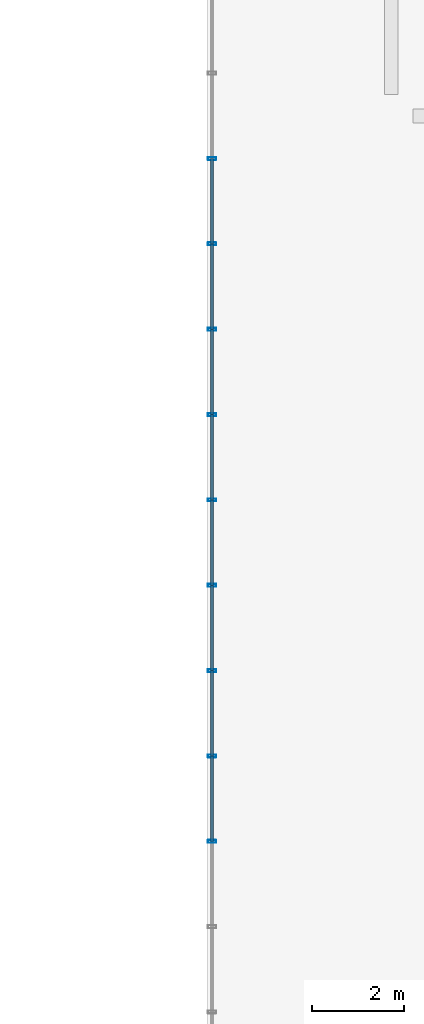
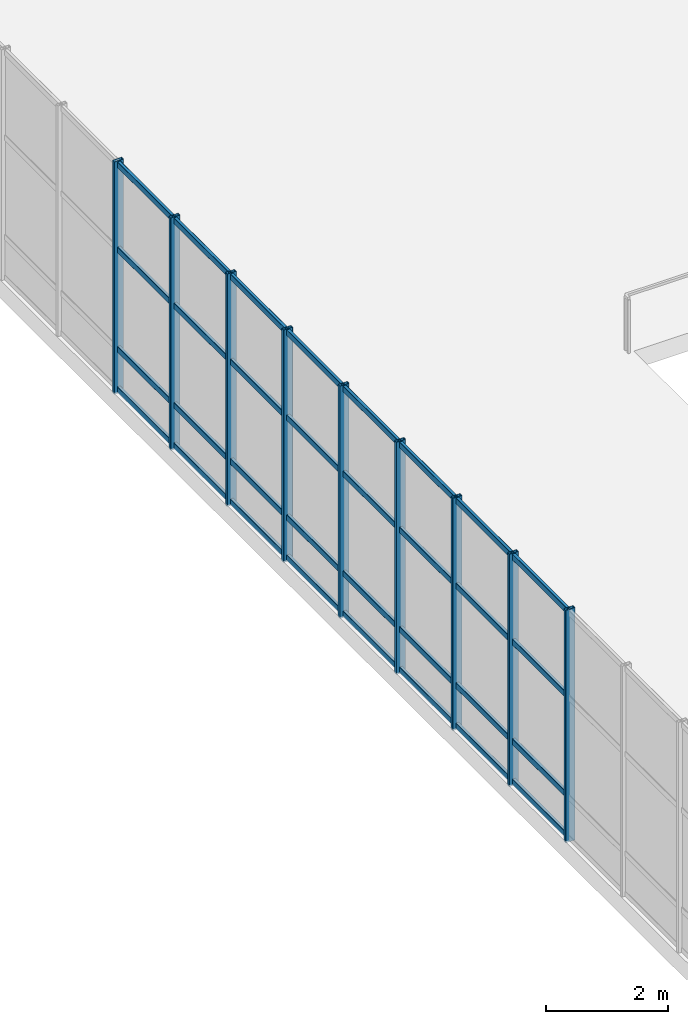
# One storey, part 101 of 176: 41 members, 2 elements without a shape of their own.
"""IFC4 building model written with IfcOpenShell, lengths in metres."""

import ifcopenshell
import ifcopenshell.guid

model = None  # the IFC model being written
_history = None  # IfcOwnerHistory: only IFC2X3 demands one
_inside = {}  # id of a spatial element -> (the spatial element, [elements in it])
_under = {}  # id of a project, library or spatial element -> (it, [spatial elements below it])
_declared = {}  # id of a project -> (the project, [libraries it declares])
_typed = {}  # id of a type object -> (the type object, [elements of that type])
_made_of = {}  # id of a material, layer set ... -> (it, [elements and type objects made of it])


def new_model(schema):
    """Start an empty IFC model of exactly this schema.

    Asked for "IFC4X3", IfcOpenShell would pick the latest addendum, in which some entities
    have other attributes; the version numbers below select the first issue.
    IFC2X3 requires an IfcOwnerHistory on every rooted entity: one is made here for all.
    """
    global model, _history
    if schema == "IFC4X3":
        model = ifcopenshell.file(schema_version=(4, 3, 0, 0))
    else:
        model = ifcopenshell.file(schema=schema)
    _inside.clear()
    _under.clear()
    _declared.clear()
    _typed.clear()
    _made_of.clear()
    _history = None
    if model.schema == "IFC2X3":
        org = make("IfcOrganization", Name="unknown")
        user = make(
            "IfcPersonAndOrganization",
            ThePerson=make("IfcPerson", FamilyName="unknown"),
            TheOrganization=org,
        )
        app = make(
            "IfcApplication",
            ApplicationDeveloper=org,
            Version="unknown",
            ApplicationFullName="unknown",
            ApplicationIdentifier="unknown",
        )
        _history = make(
            "IfcOwnerHistory",
            OwningUser=user,
            OwningApplication=app,
            ChangeAction="ADDED",
            CreationDate=0,
        )
    return model


def make(cls, **values):
    """One entity of the class cls with the attributes given. An attribute that is None is left unset."""
    return model.create_entity(
        cls, **{name: value for name, value in values.items() if value is not None}
    )


def rooted(cls, **values):
    """An entity with a GlobalId (a new one), such as an element, a storey or a relation."""
    return make(cls, GlobalId=ifcopenshell.guid.new(), OwnerHistory=_history, **values)


def si_unit(unit_type, name, prefix=None):
    """IfcSIUnit, for example si_unit("LENGTHUNIT", "METRE", prefix="MILLI")."""
    return make("IfcSIUnit", UnitType=unit_type, Prefix=prefix, Name=name)


def assignment(units):
    """IfcUnitAssignment: the units of a project."""
    return None if units is None else make("IfcUnitAssignment", Units=units)


def point(xyz):
    """IfcCartesianPoint."""
    return None if xyz is None else make("IfcCartesianPoint", Coordinates=xyz)


def direction(xyz):
    """IfcDirection."""
    return None if xyz is None else make("IfcDirection", DirectionRatios=xyz)


def frame(location, z_axis=None, x_axis=None):
    """IfcAxis2Placement3D, a coordinate frame: its origin and axes. An axis left out is left unset."""
    return make(
        "IfcAxis2Placement3D",
        Location=point(location),
        Axis=direction(z_axis),
        RefDirection=direction(x_axis),
    )


def frame_2d(location, x_axis=None):
    """IfcAxis2Placement2D, a coordinate frame in the plane: its origin and x axis."""
    return make(
        "IfcAxis2Placement2D", Location=point(location), RefDirection=direction(x_axis)
    )


def origin():
    """The frame at (0, 0, 0) with its axes left unset."""
    return frame((0.0, 0.0, 0.0))


def origin_2d():
    """The frame at (0, 0) in the plane with its x axis left unset."""
    return frame_2d((0.0, 0.0))


def place(relative_to, where):
    """IfcLocalPlacement: puts the frame where relative to a parent placement (None: the world)."""
    return make(
        "IfcLocalPlacement", PlacementRelTo=relative_to, RelativePlacement=where
    )


def context(
    kind, dimensions, precision=None, world=None, true_north=None, identifier=None
):
    """IfcGeometricRepresentationContext, for example the 3D "Model" context."""
    return make(
        "IfcGeometricRepresentationContext",
        ContextIdentifier=identifier,
        ContextType=kind,
        CoordinateSpaceDimension=dimensions,
        Precision=precision,
        WorldCoordinateSystem=world,
        TrueNorth=true_north,
    )


def subcontext(parent, identifier, kind, view, scale=None):
    """IfcGeometricRepresentationSubContext, for example "Body" below "Model"."""
    return make(
        "IfcGeometricRepresentationSubContext",
        ContextIdentifier=identifier,
        ContextType=kind,
        ParentContext=parent,
        TargetScale=scale,
        TargetView=view,
    )


def project(units=None, contexts=None):
    """IfcProject with its units and contexts."""
    return rooted(
        "IfcProject",
        Name="project",
        RepresentationContexts=contexts,
        UnitsInContext=assignment(units),
    )


def spatial(cls, under=None, at=None, **own):
    """A site, building, storey or space (cls), placed at a placement, below another one or the project."""
    s = rooted(cls, ObjectPlacement=at, **own)
    if under is not None:
        _under.setdefault(under.id(), (under, []))[1].append(s)
    return s


def profile(cls, at=None, kind="AREA", **sizes):
    """A parametric profile (cls). Its sizes go by their IFC names, for example OverallWidth=200.0."""
    return make(cls, ProfileType=kind, Position=at, **sizes)


def hollow_rectangle(**sizes):
    """IfcRectangleHollowProfileDef."""
    return profile("IfcRectangleHollowProfileDef", **sizes)


def extrude(swept, where, along, depth):
    """IfcExtrudedAreaSolid: the profile swept, set in the frame where, extruded along a direction by depth."""
    return make(
        "IfcExtrudedAreaSolid",
        SweptArea=swept,
        Position=where,
        ExtrudedDirection=direction(along),
        Depth=depth,
    )


def shape(context_of_items, identifier, shape_type, items):
    """IfcShapeRepresentation: the items that make up one representation, for example the "Body"."""
    return make(
        "IfcShapeRepresentation",
        ContextOfItems=context_of_items,
        RepresentationIdentifier=identifier,
        RepresentationType=shape_type,
        Items=items,
    )


def material(Name=None, Category=None):
    """IfcMaterial."""
    return make("IfcMaterial", Name=Name, Category=Category)


def layer(
    of_material, thickness, ventilated=None, Name=None, Category=None, Priority=None
):
    """IfcMaterialLayer: one layer of a wall or slab, of a material (None: an air gap)."""
    return make(
        "IfcMaterialLayer",
        Material=of_material,
        LayerThickness=thickness,
        IsVentilated=ventilated,
        Name=Name,
        Category=Category,
        Priority=Priority,
    )


def layer_set(layers, Name=None):
    """IfcMaterialLayerSet."""
    return make("IfcMaterialLayerSet", MaterialLayers=layers, LayerSetName=Name)


def material_profile(
    of_material, cross_section, Name=None, Category=None, Priority=None
):
    """IfcMaterialProfile: a cross section and its material."""
    return make(
        "IfcMaterialProfile",
        Name=Name,
        Material=of_material,
        Profile=cross_section,
        Priority=Priority,
        Category=Category,
    )


def profile_set(profiles, Name=None, composite=None):
    """IfcMaterialProfileSet."""
    return make(
        "IfcMaterialProfileSet",
        Name=Name,
        MaterialProfiles=profiles,
        CompositeProfile=composite,
    )


def made_of(thing, what):
    """Note that an element or type object is made of a material, layer set ...; save() writes the relation."""
    if what is not None:
        _made_of.setdefault(what.id(), (what, []))[1].append(thing)
    return thing


def type_object(cls, material=None, **own):
    """A type object (cls), such as IfcWallType, which elements share."""
    return made_of(rooted(cls, **own), material)


def element(
    cls,
    number,
    at=None,
    inside=None,
    cuts=None,
    type_object=None,
    material=None,
    context=None,
    identifier="Body",
    shape_type=None,
    held_by="IfcProductDefinitionShape",
    body=None,
    shapes=None,
    **own,
):
    """One element of the class cls, such as IfcWall. Its Tag is "e" and its number.

    at: its placement. inside: the storey or other place that contains it. cuts: it is an
    opening in that element (IfcRelVoidsElement). A single representation is given by context,
    identifier, shape_type and body (its items); several are given by shapes. held_by: the class
    of the entity that holds the representations. save() writes the other relations.
    """
    e = rooted(cls, Tag="e%d" % number, ObjectPlacement=at, **own)
    if body is not None:
        shapes = [shape(context, identifier, shape_type, body)]
    if shapes is not None:
        e.Representation = make(held_by, Representations=shapes)
    if inside is not None:
        _inside.setdefault(inside.id(), (inside, []))[1].append(e)
    if cuts is not None:
        rooted(
            "IfcRelVoidsElement", RelatingBuildingElement=cuts, RelatedOpeningElement=e
        )
    if type_object is not None:
        _typed.setdefault(type_object.id(), (type_object, []))[1].append(e)
    return made_of(e, material)


def aggregate(whole, parts):
    """IfcRelAggregates: a whole, such as a stair, and the parts it consists of."""
    return rooted("IfcRelAggregates", RelatingObject=whole, RelatedObjects=parts)


def save(model, path):
    """Write the relations noted so far, then the file.

    IfcRelAggregates (storeys below a building ...), IfcRelContainedInSpatialStructure (elements
    in a storey), IfcRelDefinesByType, IfcRelAssociatesMaterial and IfcRelDeclares: one each for
    every whole, place, type object, material and project.
    """
    for whole, parts in _under.values():
        aggregate(whole, parts)
    for where, things in _inside.values():
        rooted(
            "IfcRelContainedInSpatialStructure",
            RelatedElements=things,
            RelatingStructure=where,
        )
    for kind, things in _typed.values():
        rooted("IfcRelDefinesByType", RelatedObjects=things, RelatingType=kind)
    for what, things in _made_of.values():
        rooted("IfcRelAssociatesMaterial", RelatedObjects=things, RelatingMaterial=what)
    for by, libraries in _declared.values():
        rooted("IfcRelDeclares", RelatingContext=by, RelatedDefinitions=libraries)
    model.write(path)


model = new_model("IFC4")

# Units and contexts
model_context = context("Model", 3, precision=1e-05, world=origin(), true_north=direction((0.0, 1.0)))
body_context = subcontext(model_context, "Body", "Model", "MODEL_VIEW")
ifc_project = project(units=[si_unit("LENGTHUNIT", "METRE"), si_unit("AREAUNIT", "SQUARE_METRE"), si_unit("VOLUMEUNIT", "CUBIC_METRE"), si_unit("PLANEANGLEUNIT", "RADIAN"), si_unit("MASSUNIT", "GRAM", prefix="KILO")], contexts=[model_context])

# Site, building, storey
site_placement = place(None, origin())
site = spatial("IfcSite", under=ifc_project, at=site_placement, CompositionType="ELEMENT")
building_placement = place(site_placement, origin())
building = spatial("IfcBuilding", under=site, at=building_placement, Name="Khorjan Park Terminus", CompositionType="ELEMENT")
storey_placement = place(building_placement, frame((0.0, 0.0, 6.0)))
storey = spatial("IfcBuildingStorey", under=building, at=storey_placement, Name="L01", CompositionType="ELEMENT", Elevation=6.0)

# Curtain wall, members
ifc_material = material(Name="Anodized Bronze Aluminium", Category="aluminium")
ifc_layer = layer(ifc_material, 0.22)
ifc_layer_set = layer_set([ifc_layer], Name="Anodized Bronze Aluminium")
curtain_wall_type = type_object("IfcCurtainWallType", Name="CW-BRG-D", PredefinedType="NOTDEFINED", material=ifc_layer_set)
curtain_wall_1_placement = place(storey_placement, origin())
curtain_wall_1 = element("IfcCurtainWall", 1, at=curtain_wall_1_placement, inside=storey, type_object=curtain_wall_type, Name="Unitized curtain wall CW-D (CW-BRW-W-2)", PredefinedType="NOTDEFINED")
ifc_material_profile_1 = material_profile(ifc_material, hollow_rectangle(XDim=0.065, YDim=0.18, WallThickness=0.004, InnerFilletRadius=0.004, OuterFilletRadius=0.008, at=origin_2d()), Name="ALM 65x180x4")
ifc_profile_set_1 = profile_set([ifc_material_profile_1], Name="Anodized Bronze Aluminium")
member_type_1 = type_object("IfcMemberType", Name="ML-ALM-180", PredefinedType="MULLION", material=ifc_profile_set_1)
member_1_placement = place(storey_placement, frame((52.1, 128.0, -0.035), z_axis=(0.0, 0.0, 1.0), x_axis=(0.0, -1.0, 0.0)))
member_1 = element("IfcMember", 2, at=member_1_placement, type_object=member_type_1, Name="Curtain-wall mullion ML-18 (CW-BRW-W-2-0)", PredefinedType="MULLION", context=body_context, shape_type="SweptSolid", body=[
    extrude(hollow_rectangle(XDim=0.065, YDim=0.18, WallThickness=0.004, InnerFilletRadius=0.004, OuterFilletRadius=0.008, at=origin_2d()), origin(), (0.0, 0.0, 1.0), 4.67),
])
member_2_placement = place(storey_placement, frame((52.1, 126.1429, -0.035), z_axis=(0.0, 0.0, 1.0), x_axis=(0.0, -1.0, 0.0)))
member_2 = element("IfcMember", 3, at=member_2_placement, type_object=member_type_1, Name="Curtain-wall mullion ML-18 (CW-BRW-W-2-1)", PredefinedType="MULLION", context=body_context, shape_type="SweptSolid", body=[
    extrude(hollow_rectangle(XDim=0.065, YDim=0.18, WallThickness=0.004, InnerFilletRadius=0.004, OuterFilletRadius=0.008, at=origin_2d()), origin(), (0.0, 0.0, 1.0), 4.67),
])
member_3_placement = place(storey_placement, frame((52.1, 124.2857, -0.035), z_axis=(0.0, 0.0, 1.0), x_axis=(0.0, -1.0, 0.0)))
member_3 = element("IfcMember", 4, at=member_3_placement, type_object=member_type_1, Name="Curtain-wall mullion ML-18 (CW-BRW-W-2-2)", PredefinedType="MULLION", context=body_context, shape_type="SweptSolid", body=[
    extrude(hollow_rectangle(XDim=0.065, YDim=0.18, WallThickness=0.004, InnerFilletRadius=0.004, OuterFilletRadius=0.008, at=origin_2d()), origin(), (0.0, 0.0, 1.0), 4.67),
])
member_4_placement = place(storey_placement, frame((52.1, 122.4286, -0.035), z_axis=(0.0, 0.0, 1.0), x_axis=(0.0, -1.0, 0.0)))
member_4 = element("IfcMember", 5, at=member_4_placement, type_object=member_type_1, Name="Curtain-wall mullion ML-18 (CW-BRW-W-2-3)", PredefinedType="MULLION", context=body_context, shape_type="SweptSolid", body=[
    extrude(hollow_rectangle(XDim=0.065, YDim=0.18, WallThickness=0.004, InnerFilletRadius=0.004, OuterFilletRadius=0.008, at=origin_2d()), origin(), (0.0, 0.0, 1.0), 4.67),
])
member_5_placement = place(storey_placement, frame((52.1, 120.5714, -0.035), z_axis=(0.0, 0.0, 1.0), x_axis=(0.0, -1.0, 0.0)))
member_5 = element("IfcMember", 6, at=member_5_placement, type_object=member_type_1, Name="Curtain-wall mullion ML-18 (CW-BRW-W-2-4)", PredefinedType="MULLION", context=body_context, shape_type="SweptSolid", body=[
    extrude(hollow_rectangle(XDim=0.065, YDim=0.18, WallThickness=0.004, InnerFilletRadius=0.004, OuterFilletRadius=0.008, at=origin_2d()), origin(), (0.0, 0.0, 1.0), 4.67),
])
member_6_placement = place(storey_placement, frame((52.1, 118.7143, -0.035), z_axis=(0.0, 0.0, 1.0), x_axis=(0.0, -1.0, 0.0)))
member_6 = element("IfcMember", 7, at=member_6_placement, type_object=member_type_1, Name="Curtain-wall mullion ML-18 (CW-BRW-W-2-5)", PredefinedType="MULLION", context=body_context, shape_type="SweptSolid", body=[
    extrude(hollow_rectangle(XDim=0.065, YDim=0.18, WallThickness=0.004, InnerFilletRadius=0.004, OuterFilletRadius=0.008, at=origin_2d()), origin(), (0.0, 0.0, 1.0), 4.67),
])

curtain_wall_2_placement = place(storey_placement, origin())
curtain_wall_2 = element("IfcCurtainWall", 8, at=curtain_wall_2_placement, inside=storey, type_object=curtain_wall_type, Name="Unitized curtain wall CW-D (CW-BRW-W-3)", PredefinedType="NOTDEFINED")
member_7_placement = place(storey_placement, frame((52.1, 133.5714, -0.035), z_axis=(0.0, 0.0, 1.0), x_axis=(0.0, -1.0, 0.0)))
member_7 = element("IfcMember", 9, at=member_7_placement, type_object=member_type_1, Name="Curtain-wall mullion ML-18 (CW-BRW-W-3-4)", PredefinedType="MULLION", context=body_context, shape_type="SweptSolid", body=[
    extrude(hollow_rectangle(XDim=0.065, YDim=0.18, WallThickness=0.004, InnerFilletRadius=0.004, OuterFilletRadius=0.008, at=origin_2d()), origin(), (0.0, 0.0, 1.0), 4.67),
])
member_8_placement = place(storey_placement, frame((52.1, 131.7143, -0.035), z_axis=(0.0, 0.0, 1.0), x_axis=(0.0, -1.0, 0.0)))
member_8 = element("IfcMember", 10, at=member_8_placement, type_object=member_type_1, Name="Curtain-wall mullion ML-18 (CW-BRW-W-3-5)", PredefinedType="MULLION", context=body_context, shape_type="SweptSolid", body=[
    extrude(hollow_rectangle(XDim=0.065, YDim=0.18, WallThickness=0.004, InnerFilletRadius=0.004, OuterFilletRadius=0.008, at=origin_2d()), origin(), (0.0, 0.0, 1.0), 4.67),
])
member_9_placement = place(storey_placement, frame((52.1, 129.8571, -0.035), z_axis=(0.0, 0.0, 1.0), x_axis=(0.0, -1.0, 0.0)))
member_9 = element("IfcMember", 11, at=member_9_placement, type_object=member_type_1, Name="Curtain-wall mullion ML-18 (CW-BRW-W-3-6)", PredefinedType="MULLION", context=body_context, shape_type="SweptSolid", body=[
    extrude(hollow_rectangle(XDim=0.065, YDim=0.18, WallThickness=0.004, InnerFilletRadius=0.004, OuterFilletRadius=0.008, at=origin_2d()), origin(), (0.0, 0.0, 1.0), 4.67),
])

# Member
ifc_material_profile_2 = material_profile(ifc_material, hollow_rectangle(XDim=0.06, YDim=0.12, WallThickness=0.004, InnerFilletRadius=0.004, OuterFilletRadius=0.008, at=origin_2d()), Name="ALT 60x120x4")
ifc_profile_set_2 = profile_set([ifc_material_profile_2], Name="Anodized Bronze Aluminium")
member_type_2 = type_object("IfcMemberType", Name="TR-ALT-120", PredefinedType="USERDEFINED", material=ifc_profile_set_2)
member_10_placement = place(storey_placement, frame((52.1, 128.0, 0.04), z_axis=(0.0, -1.0, 0.0), x_axis=(1.0, 0.0, 0.0)))
member_10 = element("IfcMember", 12, at=member_10_placement, type_object=member_type_2, Name="Curtain-wall transom TR-12 (CW-BRW-W-2-0-1)", ObjectType="TRANSOM", PredefinedType="USERDEFINED", context=body_context, shape_type="SweptSolid", body=[
    extrude(hollow_rectangle(XDim=0.06, YDim=0.12, WallThickness=0.004, InnerFilletRadius=0.004, OuterFilletRadius=0.008, at=origin_2d()), origin(), (0.0, 0.0, 1.0), 1.8571),
])

member_11_placement = place(storey_placement, frame((52.1, 128.0, 0.85), z_axis=(0.0, -1.0, 0.0), x_axis=(1.0, 0.0, 0.0)))
member_11 = element("IfcMember", 13, at=member_11_placement, type_object=member_type_2, Name="Curtain-wall transom TR-12 (CW-BRW-W-2-0-2)", ObjectType="TRANSOM", PredefinedType="USERDEFINED", context=body_context, shape_type="SweptSolid", body=[
    extrude(hollow_rectangle(XDim=0.06, YDim=0.12, WallThickness=0.004, InnerFilletRadius=0.004, OuterFilletRadius=0.008, at=origin_2d()), origin(), (0.0, 0.0, 1.0), 1.8571),
])

member_12_placement = place(storey_placement, frame((52.1, 128.0, 2.852), z_axis=(0.0, -1.0, 0.0), x_axis=(1.0, 0.0, 0.0)))
member_12 = element("IfcMember", 14, at=member_12_placement, type_object=member_type_2, Name="Curtain-wall transom TR-12 (CW-BRW-W-2-0-3)", ObjectType="TRANSOM", PredefinedType="USERDEFINED", context=body_context, shape_type="SweptSolid", body=[
    extrude(hollow_rectangle(XDim=0.06, YDim=0.12, WallThickness=0.004, InnerFilletRadius=0.004, OuterFilletRadius=0.008, at=origin_2d()), origin(), (0.0, 0.0, 1.0), 1.8571),
])

member_13_placement = place(storey_placement, frame((52.1, 128.0, 4.56), z_axis=(0.0, -1.0, 0.0), x_axis=(1.0, 0.0, 0.0)))
member_13 = element("IfcMember", 15, at=member_13_placement, type_object=member_type_2, Name="Curtain-wall transom TR-12 (CW-BRW-W-2-0-4)", ObjectType="TRANSOM", PredefinedType="USERDEFINED", context=body_context, shape_type="SweptSolid", body=[
    extrude(hollow_rectangle(XDim=0.06, YDim=0.12, WallThickness=0.004, InnerFilletRadius=0.004, OuterFilletRadius=0.008, at=origin_2d()), origin(), (0.0, 0.0, 1.0), 1.8571),
])

member_14_placement = place(storey_placement, frame((52.1, 126.1429, 0.04), z_axis=(0.0, -1.0, 0.0), x_axis=(1.0, 0.0, 0.0)))
member_14 = element("IfcMember", 16, at=member_14_placement, type_object=member_type_2, Name="Curtain-wall transom TR-12 (CW-BRW-W-2-1-1)", ObjectType="TRANSOM", PredefinedType="USERDEFINED", context=body_context, shape_type="SweptSolid", body=[
    extrude(hollow_rectangle(XDim=0.06, YDim=0.12, WallThickness=0.004, InnerFilletRadius=0.004, OuterFilletRadius=0.008, at=origin_2d()), origin(), (0.0, 0.0, 1.0), 1.8572),
])

member_15_placement = place(storey_placement, frame((52.1, 126.1429, 0.85), z_axis=(0.0, -1.0, 0.0), x_axis=(1.0, 0.0, 0.0)))
member_15 = element("IfcMember", 17, at=member_15_placement, type_object=member_type_2, Name="Curtain-wall transom TR-12 (CW-BRW-W-2-1-2)", ObjectType="TRANSOM", PredefinedType="USERDEFINED", context=body_context, shape_type="SweptSolid", body=[
    extrude(hollow_rectangle(XDim=0.06, YDim=0.12, WallThickness=0.004, InnerFilletRadius=0.004, OuterFilletRadius=0.008, at=origin_2d()), origin(), (0.0, 0.0, 1.0), 1.8572),
])

member_16_placement = place(storey_placement, frame((52.1, 126.1429, 2.852), z_axis=(0.0, -1.0, 0.0), x_axis=(1.0, 0.0, 0.0)))
member_16 = element("IfcMember", 18, at=member_16_placement, type_object=member_type_2, Name="Curtain-wall transom TR-12 (CW-BRW-W-2-1-3)", ObjectType="TRANSOM", PredefinedType="USERDEFINED", context=body_context, shape_type="SweptSolid", body=[
    extrude(hollow_rectangle(XDim=0.06, YDim=0.12, WallThickness=0.004, InnerFilletRadius=0.004, OuterFilletRadius=0.008, at=origin_2d()), origin(), (0.0, 0.0, 1.0), 1.8572),
])

member_17_placement = place(storey_placement, frame((52.1, 126.1429, 4.56), z_axis=(0.0, -1.0, 0.0), x_axis=(1.0, 0.0, 0.0)))
member_17 = element("IfcMember", 19, at=member_17_placement, type_object=member_type_2, Name="Curtain-wall transom TR-12 (CW-BRW-W-2-1-4)", ObjectType="TRANSOM", PredefinedType="USERDEFINED", context=body_context, shape_type="SweptSolid", body=[
    extrude(hollow_rectangle(XDim=0.06, YDim=0.12, WallThickness=0.004, InnerFilletRadius=0.004, OuterFilletRadius=0.008, at=origin_2d()), origin(), (0.0, 0.0, 1.0), 1.8572),
])

member_18_placement = place(storey_placement, frame((52.1, 124.2857, 0.04), z_axis=(0.0, -1.0, 0.0), x_axis=(1.0, 0.0, 0.0)))
member_18 = element("IfcMember", 20, at=member_18_placement, type_object=member_type_2, Name="Curtain-wall transom TR-12 (CW-BRW-W-2-2-1)", ObjectType="TRANSOM", PredefinedType="USERDEFINED", context=body_context, shape_type="SweptSolid", body=[
    extrude(hollow_rectangle(XDim=0.06, YDim=0.12, WallThickness=0.004, InnerFilletRadius=0.004, OuterFilletRadius=0.008, at=origin_2d()), origin(), (0.0, 0.0, 1.0), 1.8571),
])

member_19_placement = place(storey_placement, frame((52.1, 124.2857, 0.85), z_axis=(0.0, -1.0, 0.0), x_axis=(1.0, 0.0, 0.0)))
member_19 = element("IfcMember", 21, at=member_19_placement, type_object=member_type_2, Name="Curtain-wall transom TR-12 (CW-BRW-W-2-2-2)", ObjectType="TRANSOM", PredefinedType="USERDEFINED", context=body_context, shape_type="SweptSolid", body=[
    extrude(hollow_rectangle(XDim=0.06, YDim=0.12, WallThickness=0.004, InnerFilletRadius=0.004, OuterFilletRadius=0.008, at=origin_2d()), origin(), (0.0, 0.0, 1.0), 1.8571),
])

member_20_placement = place(storey_placement, frame((52.1, 124.2857, 2.852), z_axis=(0.0, -1.0, 0.0), x_axis=(1.0, 0.0, 0.0)))
member_20 = element("IfcMember", 22, at=member_20_placement, type_object=member_type_2, Name="Curtain-wall transom TR-12 (CW-BRW-W-2-2-3)", ObjectType="TRANSOM", PredefinedType="USERDEFINED", context=body_context, shape_type="SweptSolid", body=[
    extrude(hollow_rectangle(XDim=0.06, YDim=0.12, WallThickness=0.004, InnerFilletRadius=0.004, OuterFilletRadius=0.008, at=origin_2d()), origin(), (0.0, 0.0, 1.0), 1.8571),
])

member_21_placement = place(storey_placement, frame((52.1, 124.2857, 4.56), z_axis=(0.0, -1.0, 0.0), x_axis=(1.0, 0.0, 0.0)))
member_21 = element("IfcMember", 23, at=member_21_placement, type_object=member_type_2, Name="Curtain-wall transom TR-12 (CW-BRW-W-2-2-4)", ObjectType="TRANSOM", PredefinedType="USERDEFINED", context=body_context, shape_type="SweptSolid", body=[
    extrude(hollow_rectangle(XDim=0.06, YDim=0.12, WallThickness=0.004, InnerFilletRadius=0.004, OuterFilletRadius=0.008, at=origin_2d()), origin(), (0.0, 0.0, 1.0), 1.8571),
])

member_22_placement = place(storey_placement, frame((52.1, 122.4286, 0.04), z_axis=(0.0, -1.0, 0.0), x_axis=(1.0, 0.0, 0.0)))
member_22 = element("IfcMember", 24, at=member_22_placement, type_object=member_type_2, Name="Curtain-wall transom TR-12 (CW-BRW-W-2-3-1)", ObjectType="TRANSOM", PredefinedType="USERDEFINED", context=body_context, shape_type="SweptSolid", body=[
    extrude(hollow_rectangle(XDim=0.06, YDim=0.12, WallThickness=0.004, InnerFilletRadius=0.004, OuterFilletRadius=0.008, at=origin_2d()), origin(), (0.0, 0.0, 1.0), 1.8572),
])

member_23_placement = place(storey_placement, frame((52.1, 122.4286, 0.85), z_axis=(0.0, -1.0, 0.0), x_axis=(1.0, 0.0, 0.0)))
member_23 = element("IfcMember", 25, at=member_23_placement, type_object=member_type_2, Name="Curtain-wall transom TR-12 (CW-BRW-W-2-3-2)", ObjectType="TRANSOM", PredefinedType="USERDEFINED", context=body_context, shape_type="SweptSolid", body=[
    extrude(hollow_rectangle(XDim=0.06, YDim=0.12, WallThickness=0.004, InnerFilletRadius=0.004, OuterFilletRadius=0.008, at=origin_2d()), origin(), (0.0, 0.0, 1.0), 1.8572),
])

member_24_placement = place(storey_placement, frame((52.1, 122.4286, 2.852), z_axis=(0.0, -1.0, 0.0), x_axis=(1.0, 0.0, 0.0)))
member_24 = element("IfcMember", 26, at=member_24_placement, type_object=member_type_2, Name="Curtain-wall transom TR-12 (CW-BRW-W-2-3-3)", ObjectType="TRANSOM", PredefinedType="USERDEFINED", context=body_context, shape_type="SweptSolid", body=[
    extrude(hollow_rectangle(XDim=0.06, YDim=0.12, WallThickness=0.004, InnerFilletRadius=0.004, OuterFilletRadius=0.008, at=origin_2d()), origin(), (0.0, 0.0, 1.0), 1.8572),
])

member_25_placement = place(storey_placement, frame((52.1, 122.4286, 4.56), z_axis=(0.0, -1.0, 0.0), x_axis=(1.0, 0.0, 0.0)))
member_25 = element("IfcMember", 27, at=member_25_placement, type_object=member_type_2, Name="Curtain-wall transom TR-12 (CW-BRW-W-2-3-4)", ObjectType="TRANSOM", PredefinedType="USERDEFINED", context=body_context, shape_type="SweptSolid", body=[
    extrude(hollow_rectangle(XDim=0.06, YDim=0.12, WallThickness=0.004, InnerFilletRadius=0.004, OuterFilletRadius=0.008, at=origin_2d()), origin(), (0.0, 0.0, 1.0), 1.8572),
])

member_26_placement = place(storey_placement, frame((52.1, 120.5714, 0.04), z_axis=(0.0, -1.0, 0.0), x_axis=(1.0, 0.0, 0.0)))
member_26 = element("IfcMember", 28, at=member_26_placement, type_object=member_type_2, Name="Curtain-wall transom TR-12 (CW-BRW-W-2-4-1)", ObjectType="TRANSOM", PredefinedType="USERDEFINED", context=body_context, shape_type="SweptSolid", body=[
    extrude(hollow_rectangle(XDim=0.06, YDim=0.12, WallThickness=0.004, InnerFilletRadius=0.004, OuterFilletRadius=0.008, at=origin_2d()), origin(), (0.0, 0.0, 1.0), 1.8571),
])

member_27_placement = place(storey_placement, frame((52.1, 120.5714, 0.85), z_axis=(0.0, -1.0, 0.0), x_axis=(1.0, 0.0, 0.0)))
member_27 = element("IfcMember", 29, at=member_27_placement, type_object=member_type_2, Name="Curtain-wall transom TR-12 (CW-BRW-W-2-4-2)", ObjectType="TRANSOM", PredefinedType="USERDEFINED", context=body_context, shape_type="SweptSolid", body=[
    extrude(hollow_rectangle(XDim=0.06, YDim=0.12, WallThickness=0.004, InnerFilletRadius=0.004, OuterFilletRadius=0.008, at=origin_2d()), origin(), (0.0, 0.0, 1.0), 1.8571),
])

member_28_placement = place(storey_placement, frame((52.1, 120.5714, 2.852), z_axis=(0.0, -1.0, 0.0), x_axis=(1.0, 0.0, 0.0)))
member_28 = element("IfcMember", 30, at=member_28_placement, type_object=member_type_2, Name="Curtain-wall transom TR-12 (CW-BRW-W-2-4-3)", ObjectType="TRANSOM", PredefinedType="USERDEFINED", context=body_context, shape_type="SweptSolid", body=[
    extrude(hollow_rectangle(XDim=0.06, YDim=0.12, WallThickness=0.004, InnerFilletRadius=0.004, OuterFilletRadius=0.008, at=origin_2d()), origin(), (0.0, 0.0, 1.0), 1.8571),
])

member_29_placement = place(storey_placement, frame((52.1, 120.5714, 4.56), z_axis=(0.0, -1.0, 0.0), x_axis=(1.0, 0.0, 0.0)))
member_29 = element("IfcMember", 31, at=member_29_placement, type_object=member_type_2, Name="Curtain-wall transom TR-12 (CW-BRW-W-2-4-4)", ObjectType="TRANSOM", PredefinedType="USERDEFINED", context=body_context, shape_type="SweptSolid", body=[
    extrude(hollow_rectangle(XDim=0.06, YDim=0.12, WallThickness=0.004, InnerFilletRadius=0.004, OuterFilletRadius=0.008, at=origin_2d()), origin(), (0.0, 0.0, 1.0), 1.8571),
])

aggregate(curtain_wall_1, [member_1, member_2, member_3, member_4, member_5, member_6, member_10, member_11, member_12, member_13, member_14, member_15, member_16, member_17, member_18, member_19, member_20, member_21, member_22, member_23, member_24, member_25, member_26, member_27, member_28, member_29])

member_30_placement = place(storey_placement, frame((52.1, 133.5714, 0.04), z_axis=(0.0, -1.0, 0.0), x_axis=(1.0, 0.0, 0.0)))
member_30 = element("IfcMember", 32, at=member_30_placement, type_object=member_type_2, Name="Curtain-wall transom TR-12 (CW-BRW-W-3-4-1)", ObjectType="TRANSOM", PredefinedType="USERDEFINED", context=body_context, shape_type="SweptSolid", body=[
    extrude(hollow_rectangle(XDim=0.06, YDim=0.12, WallThickness=0.004, InnerFilletRadius=0.004, OuterFilletRadius=0.008, at=origin_2d()), origin(), (0.0, 0.0, 1.0), 1.8571),
])

member_31_placement = place(storey_placement, frame((52.1, 133.5714, 0.85), z_axis=(0.0, -1.0, 0.0), x_axis=(1.0, 0.0, 0.0)))
member_31 = element("IfcMember", 33, at=member_31_placement, type_object=member_type_2, Name="Curtain-wall transom TR-12 (CW-BRW-W-3-4-2)", ObjectType="TRANSOM", PredefinedType="USERDEFINED", context=body_context, shape_type="SweptSolid", body=[
    extrude(hollow_rectangle(XDim=0.06, YDim=0.12, WallThickness=0.004, InnerFilletRadius=0.004, OuterFilletRadius=0.008, at=origin_2d()), origin(), (0.0, 0.0, 1.0), 1.8571),
])

member_32_placement = place(storey_placement, frame((52.1, 133.5714, 2.852), z_axis=(0.0, -1.0, 0.0), x_axis=(1.0, 0.0, 0.0)))
member_32 = element("IfcMember", 34, at=member_32_placement, type_object=member_type_2, Name="Curtain-wall transom TR-12 (CW-BRW-W-3-4-3)", ObjectType="TRANSOM", PredefinedType="USERDEFINED", context=body_context, shape_type="SweptSolid", body=[
    extrude(hollow_rectangle(XDim=0.06, YDim=0.12, WallThickness=0.004, InnerFilletRadius=0.004, OuterFilletRadius=0.008, at=origin_2d()), origin(), (0.0, 0.0, 1.0), 1.8571),
])

member_33_placement = place(storey_placement, frame((52.1, 133.5714, 4.56), z_axis=(0.0, -1.0, 0.0), x_axis=(1.0, 0.0, 0.0)))
member_33 = element("IfcMember", 35, at=member_33_placement, type_object=member_type_2, Name="Curtain-wall transom TR-12 (CW-BRW-W-3-4-4)", ObjectType="TRANSOM", PredefinedType="USERDEFINED", context=body_context, shape_type="SweptSolid", body=[
    extrude(hollow_rectangle(XDim=0.06, YDim=0.12, WallThickness=0.004, InnerFilletRadius=0.004, OuterFilletRadius=0.008, at=origin_2d()), origin(), (0.0, 0.0, 1.0), 1.8571),
])

member_34_placement = place(storey_placement, frame((52.1, 131.7143, 0.04), z_axis=(0.0, -1.0, 0.0), x_axis=(1.0, 0.0, 0.0)))
member_34 = element("IfcMember", 36, at=member_34_placement, type_object=member_type_2, Name="Curtain-wall transom TR-12 (CW-BRW-W-3-5-1)", ObjectType="TRANSOM", PredefinedType="USERDEFINED", context=body_context, shape_type="SweptSolid", body=[
    extrude(hollow_rectangle(XDim=0.06, YDim=0.12, WallThickness=0.004, InnerFilletRadius=0.004, OuterFilletRadius=0.008, at=origin_2d()), origin(), (0.0, 0.0, 1.0), 1.8572),
])

member_35_placement = place(storey_placement, frame((52.1, 131.7143, 0.85), z_axis=(0.0, -1.0, 0.0), x_axis=(1.0, 0.0, 0.0)))
member_35 = element("IfcMember", 37, at=member_35_placement, type_object=member_type_2, Name="Curtain-wall transom TR-12 (CW-BRW-W-3-5-2)", ObjectType="TRANSOM", PredefinedType="USERDEFINED", context=body_context, shape_type="SweptSolid", body=[
    extrude(hollow_rectangle(XDim=0.06, YDim=0.12, WallThickness=0.004, InnerFilletRadius=0.004, OuterFilletRadius=0.008, at=origin_2d()), origin(), (0.0, 0.0, 1.0), 1.8572),
])

member_36_placement = place(storey_placement, frame((52.1, 131.7143, 2.852), z_axis=(0.0, -1.0, 0.0), x_axis=(1.0, 0.0, 0.0)))
member_36 = element("IfcMember", 38, at=member_36_placement, type_object=member_type_2, Name="Curtain-wall transom TR-12 (CW-BRW-W-3-5-3)", ObjectType="TRANSOM", PredefinedType="USERDEFINED", context=body_context, shape_type="SweptSolid", body=[
    extrude(hollow_rectangle(XDim=0.06, YDim=0.12, WallThickness=0.004, InnerFilletRadius=0.004, OuterFilletRadius=0.008, at=origin_2d()), origin(), (0.0, 0.0, 1.0), 1.8572),
])

member_37_placement = place(storey_placement, frame((52.1, 131.7143, 4.56), z_axis=(0.0, -1.0, 0.0), x_axis=(1.0, 0.0, 0.0)))
member_37 = element("IfcMember", 39, at=member_37_placement, type_object=member_type_2, Name="Curtain-wall transom TR-12 (CW-BRW-W-3-5-4)", ObjectType="TRANSOM", PredefinedType="USERDEFINED", context=body_context, shape_type="SweptSolid", body=[
    extrude(hollow_rectangle(XDim=0.06, YDim=0.12, WallThickness=0.004, InnerFilletRadius=0.004, OuterFilletRadius=0.008, at=origin_2d()), origin(), (0.0, 0.0, 1.0), 1.8572),
])

member_38_placement = place(storey_placement, frame((52.1, 129.8571, 0.04), z_axis=(0.0, -1.0, 0.0), x_axis=(1.0, 0.0, 0.0)))
member_38 = element("IfcMember", 40, at=member_38_placement, type_object=member_type_2, Name="Curtain-wall transom TR-12 (CW-BRW-W-3-6-1)", ObjectType="TRANSOM", PredefinedType="USERDEFINED", context=body_context, shape_type="SweptSolid", body=[
    extrude(hollow_rectangle(XDim=0.06, YDim=0.12, WallThickness=0.004, InnerFilletRadius=0.004, OuterFilletRadius=0.008, at=origin_2d()), origin(), (0.0, 0.0, 1.0), 1.8571),
])

member_39_placement = place(storey_placement, frame((52.1, 129.8571, 0.85), z_axis=(0.0, -1.0, 0.0), x_axis=(1.0, 0.0, 0.0)))
member_39 = element("IfcMember", 41, at=member_39_placement, type_object=member_type_2, Name="Curtain-wall transom TR-12 (CW-BRW-W-3-6-2)", ObjectType="TRANSOM", PredefinedType="USERDEFINED", context=body_context, shape_type="SweptSolid", body=[
    extrude(hollow_rectangle(XDim=0.06, YDim=0.12, WallThickness=0.004, InnerFilletRadius=0.004, OuterFilletRadius=0.008, at=origin_2d()), origin(), (0.0, 0.0, 1.0), 1.8571),
])

member_40_placement = place(storey_placement, frame((52.1, 129.8571, 2.852), z_axis=(0.0, -1.0, 0.0), x_axis=(1.0, 0.0, 0.0)))
member_40 = element("IfcMember", 42, at=member_40_placement, type_object=member_type_2, Name="Curtain-wall transom TR-12 (CW-BRW-W-3-6-3)", ObjectType="TRANSOM", PredefinedType="USERDEFINED", context=body_context, shape_type="SweptSolid", body=[
    extrude(hollow_rectangle(XDim=0.06, YDim=0.12, WallThickness=0.004, InnerFilletRadius=0.004, OuterFilletRadius=0.008, at=origin_2d()), origin(), (0.0, 0.0, 1.0), 1.8571),
])

member_41_placement = place(storey_placement, frame((52.1, 129.8571, 4.56), z_axis=(0.0, -1.0, 0.0), x_axis=(1.0, 0.0, 0.0)))
member_41 = element("IfcMember", 43, at=member_41_placement, type_object=member_type_2, Name="Curtain-wall transom TR-12 (CW-BRW-W-3-6-4)", ObjectType="TRANSOM", PredefinedType="USERDEFINED", context=body_context, shape_type="SweptSolid", body=[
    extrude(hollow_rectangle(XDim=0.06, YDim=0.12, WallThickness=0.004, InnerFilletRadius=0.004, OuterFilletRadius=0.008, at=origin_2d()), origin(), (0.0, 0.0, 1.0), 1.8571),
])

aggregate(curtain_wall_2, [member_7, member_8, member_9, member_30, member_31, member_32, member_33, member_34, member_35, member_36, member_37, member_38, member_39, member_40, member_41])

save(model, "model.ifc")
